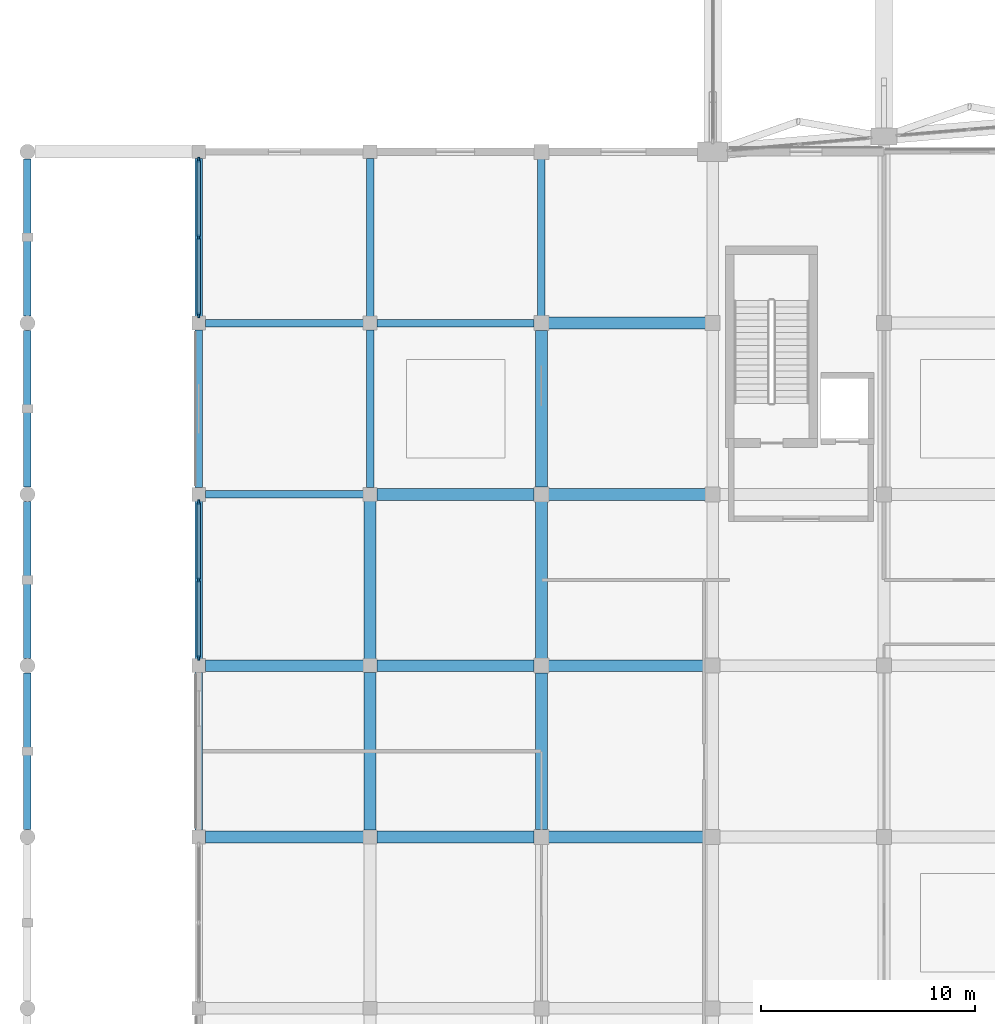
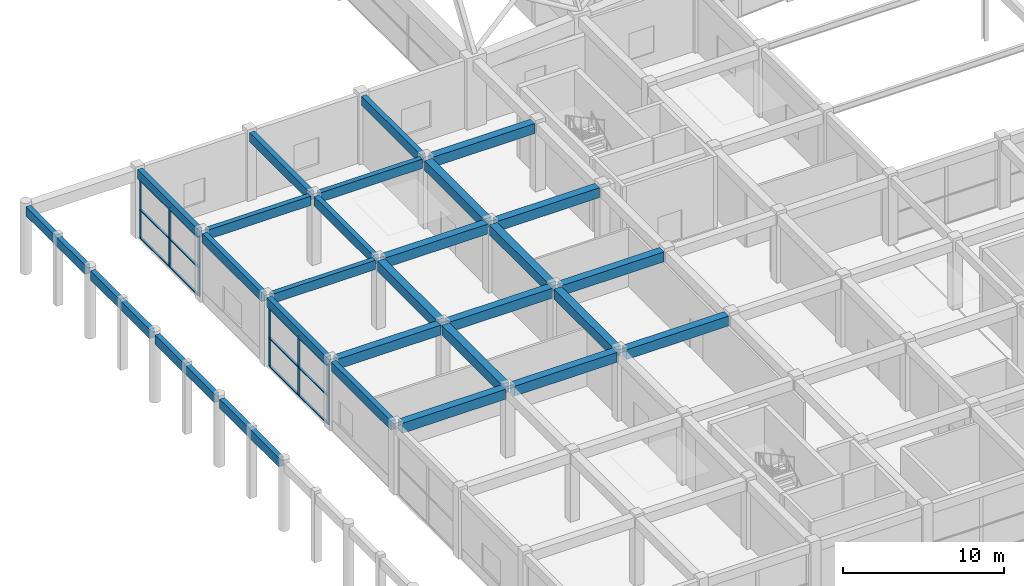
# One storey, part 11 of 69: 28 beams, 18 members, 2 elements without a shape of their own.
"""IFC4 building model written with IfcOpenShell, lengths in metres."""

import ifcopenshell
import ifcopenshell.guid

model = None  # the IFC model being written
_history = None  # IfcOwnerHistory: only IFC2X3 demands one
_inside = {}  # id of a spatial element -> (the spatial element, [elements in it])
_under = {}  # id of a project, library or spatial element -> (it, [spatial elements below it])
_declared = {}  # id of a project -> (the project, [libraries it declares])
_typed = {}  # id of a type object -> (the type object, [elements of that type])
_made_of = {}  # id of a material, layer set ... -> (it, [elements and type objects made of it])


def new_model(schema):
    """Start an empty IFC model of exactly this schema.

    Asked for "IFC4X3", IfcOpenShell would pick the latest addendum, in which some entities
    have other attributes; the version numbers below select the first issue.
    IFC2X3 requires an IfcOwnerHistory on every rooted entity: one is made here for all.
    """
    global model, _history
    if schema == "IFC4X3":
        model = ifcopenshell.file(schema_version=(4, 3, 0, 0))
    else:
        model = ifcopenshell.file(schema=schema)
    _inside.clear()
    _under.clear()
    _declared.clear()
    _typed.clear()
    _made_of.clear()
    _history = None
    if model.schema == "IFC2X3":
        org = make("IfcOrganization", Name="unknown")
        user = make(
            "IfcPersonAndOrganization",
            ThePerson=make("IfcPerson", FamilyName="unknown"),
            TheOrganization=org,
        )
        app = make(
            "IfcApplication",
            ApplicationDeveloper=org,
            Version="unknown",
            ApplicationFullName="unknown",
            ApplicationIdentifier="unknown",
        )
        _history = make(
            "IfcOwnerHistory",
            OwningUser=user,
            OwningApplication=app,
            ChangeAction="ADDED",
            CreationDate=0,
        )
    return model


def make(cls, **values):
    """One entity of the class cls with the attributes given. An attribute that is None is left unset."""
    return model.create_entity(
        cls, **{name: value for name, value in values.items() if value is not None}
    )


def rooted(cls, **values):
    """An entity with a GlobalId (a new one), such as an element, a storey or a relation."""
    return make(cls, GlobalId=ifcopenshell.guid.new(), OwnerHistory=_history, **values)


def si_unit(unit_type, name, prefix=None):
    """IfcSIUnit, for example si_unit("LENGTHUNIT", "METRE", prefix="MILLI")."""
    return make("IfcSIUnit", UnitType=unit_type, Prefix=prefix, Name=name)


def assignment(units):
    """IfcUnitAssignment: the units of a project."""
    return None if units is None else make("IfcUnitAssignment", Units=units)


def point(xyz):
    """IfcCartesianPoint."""
    return None if xyz is None else make("IfcCartesianPoint", Coordinates=xyz)


def direction(xyz):
    """IfcDirection."""
    return None if xyz is None else make("IfcDirection", DirectionRatios=xyz)


def frame(location, z_axis=None, x_axis=None):
    """IfcAxis2Placement3D, a coordinate frame: its origin and axes. An axis left out is left unset."""
    return make(
        "IfcAxis2Placement3D",
        Location=point(location),
        Axis=direction(z_axis),
        RefDirection=direction(x_axis),
    )


def frame_2d(location, x_axis=None):
    """IfcAxis2Placement2D, a coordinate frame in the plane: its origin and x axis."""
    return make(
        "IfcAxis2Placement2D", Location=point(location), RefDirection=direction(x_axis)
    )


def origin():
    """The frame at (0, 0, 0) with its axes left unset."""
    return frame((0.0, 0.0, 0.0))


def origin_2d():
    """The frame at (0, 0) in the plane with its x axis left unset."""
    return frame_2d((0.0, 0.0))


def place(relative_to, where):
    """IfcLocalPlacement: puts the frame where relative to a parent placement (None: the world)."""
    return make(
        "IfcLocalPlacement", PlacementRelTo=relative_to, RelativePlacement=where
    )


def context(
    kind, dimensions, precision=None, world=None, true_north=None, identifier=None
):
    """IfcGeometricRepresentationContext, for example the 3D "Model" context."""
    return make(
        "IfcGeometricRepresentationContext",
        ContextIdentifier=identifier,
        ContextType=kind,
        CoordinateSpaceDimension=dimensions,
        Precision=precision,
        WorldCoordinateSystem=world,
        TrueNorth=true_north,
    )


def subcontext(parent, identifier, kind, view, scale=None):
    """IfcGeometricRepresentationSubContext, for example "Body" below "Model"."""
    return make(
        "IfcGeometricRepresentationSubContext",
        ContextIdentifier=identifier,
        ContextType=kind,
        ParentContext=parent,
        TargetScale=scale,
        TargetView=view,
    )


def project(units=None, contexts=None):
    """IfcProject with its units and contexts."""
    return rooted(
        "IfcProject",
        Name="project",
        RepresentationContexts=contexts,
        UnitsInContext=assignment(units),
    )


def spatial(cls, under=None, at=None, **own):
    """A site, building, storey or space (cls), placed at a placement, below another one or the project."""
    s = rooted(cls, ObjectPlacement=at, **own)
    if under is not None:
        _under.setdefault(under.id(), (under, []))[1].append(s)
    return s


def profile(cls, at=None, kind="AREA", **sizes):
    """A parametric profile (cls). Its sizes go by their IFC names, for example OverallWidth=200.0."""
    return make(cls, ProfileType=kind, Position=at, **sizes)


def rectangle(**sizes):
    """IfcRectangleProfileDef."""
    return profile("IfcRectangleProfileDef", **sizes)


def extrude(swept, where, along, depth):
    """IfcExtrudedAreaSolid: the profile swept, set in the frame where, extruded along a direction by depth."""
    return make(
        "IfcExtrudedAreaSolid",
        SweptArea=swept,
        Position=where,
        ExtrudedDirection=direction(along),
        Depth=depth,
    )


def shape(context_of_items, identifier, shape_type, items):
    """IfcShapeRepresentation: the items that make up one representation, for example the "Body"."""
    return make(
        "IfcShapeRepresentation",
        ContextOfItems=context_of_items,
        RepresentationIdentifier=identifier,
        RepresentationType=shape_type,
        Items=items,
    )


def material(Name=None, Category=None):
    """IfcMaterial."""
    return make("IfcMaterial", Name=Name, Category=Category)


def material_profile(
    of_material, cross_section, Name=None, Category=None, Priority=None
):
    """IfcMaterialProfile: a cross section and its material."""
    return make(
        "IfcMaterialProfile",
        Name=Name,
        Material=of_material,
        Profile=cross_section,
        Priority=Priority,
        Category=Category,
    )


def profile_set(profiles, Name=None, composite=None):
    """IfcMaterialProfileSet."""
    return make(
        "IfcMaterialProfileSet",
        Name=Name,
        MaterialProfiles=profiles,
        CompositeProfile=composite,
    )


def made_of(thing, what):
    """Note that an element or type object is made of a material, layer set ...; save() writes the relation."""
    if what is not None:
        _made_of.setdefault(what.id(), (what, []))[1].append(thing)
    return thing


def type_object(cls, material=None, **own):
    """A type object (cls), such as IfcWallType, which elements share."""
    return made_of(rooted(cls, **own), material)


def element(
    cls,
    number,
    at=None,
    inside=None,
    cuts=None,
    type_object=None,
    material=None,
    context=None,
    identifier="Body",
    shape_type=None,
    held_by="IfcProductDefinitionShape",
    body=None,
    shapes=None,
    **own,
):
    """One element of the class cls, such as IfcWall. Its Tag is "e" and its number.

    at: its placement. inside: the storey or other place that contains it. cuts: it is an
    opening in that element (IfcRelVoidsElement). A single representation is given by context,
    identifier, shape_type and body (its items); several are given by shapes. held_by: the class
    of the entity that holds the representations. save() writes the other relations.
    """
    e = rooted(cls, Tag="e%d" % number, ObjectPlacement=at, **own)
    if body is not None:
        shapes = [shape(context, identifier, shape_type, body)]
    if shapes is not None:
        e.Representation = make(held_by, Representations=shapes)
    if inside is not None:
        _inside.setdefault(inside.id(), (inside, []))[1].append(e)
    if cuts is not None:
        rooted(
            "IfcRelVoidsElement", RelatingBuildingElement=cuts, RelatedOpeningElement=e
        )
    if type_object is not None:
        _typed.setdefault(type_object.id(), (type_object, []))[1].append(e)
    return made_of(e, material)


def aggregate(whole, parts):
    """IfcRelAggregates: a whole, such as a stair, and the parts it consists of."""
    return rooted("IfcRelAggregates", RelatingObject=whole, RelatedObjects=parts)


def save(model, path):
    """Write the relations noted so far, then the file.

    IfcRelAggregates (storeys below a building ...), IfcRelContainedInSpatialStructure (elements
    in a storey), IfcRelDefinesByType, IfcRelAssociatesMaterial and IfcRelDeclares: one each for
    every whole, place, type object, material and project.
    """
    for whole, parts in _under.values():
        aggregate(whole, parts)
    for where, things in _inside.values():
        rooted(
            "IfcRelContainedInSpatialStructure",
            RelatedElements=things,
            RelatingStructure=where,
        )
    for kind, things in _typed.values():
        rooted("IfcRelDefinesByType", RelatedObjects=things, RelatingType=kind)
    for what, things in _made_of.values():
        rooted("IfcRelAssociatesMaterial", RelatedObjects=things, RelatingMaterial=what)
    for by, libraries in _declared.values():
        rooted("IfcRelDeclares", RelatingContext=by, RelatedDefinitions=libraries)
    model.write(path)


model = new_model("IFC4")

# Units and contexts
model_context = context("Model", 3, precision=1e-05, world=origin(), true_north=direction((0.0, 1.0)))
body_context = subcontext(model_context, "Body", "Model", "MODEL_VIEW")
ifc_project = project(units=[si_unit("LENGTHUNIT", "METRE"), si_unit("AREAUNIT", "SQUARE_METRE"), si_unit("VOLUMEUNIT", "CUBIC_METRE"), si_unit("PLANEANGLEUNIT", "RADIAN"), si_unit("MASSUNIT", "GRAM", prefix="KILO")], contexts=[model_context])

# Site, building, storey
site_placement = place(None, origin())
site = spatial("IfcSite", under=ifc_project, at=site_placement, CompositionType="ELEMENT")
building_placement = place(site_placement, origin())
building = spatial("IfcBuilding", under=site, at=building_placement, Name="Kenh Van Central Station", CompositionType="ELEMENT")
storey_placement = place(building_placement, frame((0.0, 0.0, 5.39990234375)))
storey = spatial("IfcBuildingStorey", under=building, at=storey_placement, Name="L01", CompositionType="ELEMENT", Elevation=5.39990234375)

# Beams
ifc_material_1 = material(Name="Concrete C35/45", Category="concrete")
ifc_material_profile_1 = material_profile(ifc_material_1, rectangle(XDim=0.550048828125, YDim=0.75, at=origin_2d()), Name="RC 550x750")
ifc_profile_set_1 = profile_set([ifc_material_profile_1], Name="Concrete C35/45")
beam_type_1 = type_object("IfcBeamType", Name="BM-RC-550x750", PredefinedType="BEAM", material=ifc_profile_set_1)
beam_1_placement = place(storey_placement, frame((8.31494140625, 32.0, 4.81005859375), z_axis=(1.0, 0.0, 0.0), x_axis=(0.0, 1.0, 0.0)))
element("IfcBeam", 1, at=beam_1_placement, inside=storey, type_object=beam_type_1, Name="L01 beam 0671", PredefinedType="BEAM", context=body_context, shape_type="SweptSolid", body=[
    extrude(rectangle(XDim=0.550048828125, YDim=0.75, at=origin_2d()), origin(), (0.0, 0.0, 1.0), 7.3701171875),
])
beam_2_placement = place(storey_placement, frame((16.31494140625, 32.0, 4.81005859375), z_axis=(1.0, 0.0, 0.0), x_axis=(0.0, 1.0, 0.0)))
element("IfcBeam", 2, at=beam_2_placement, inside=storey, type_object=beam_type_1, Name="L01 beam 0672", PredefinedType="BEAM", context=body_context, shape_type="SweptSolid", body=[
    extrude(rectangle(XDim=0.550048828125, YDim=0.75, at=origin_2d()), origin(), (0.0, 0.0, 1.0), 7.344970703125),
])
beam_3_placement = place(storey_placement, frame((24.340087890625, 32.0, 4.76513671875), z_axis=(1.0, 0.0, 0.0), x_axis=(0.0, 1.0, 0.0)))
element("IfcBeam", 3, at=beam_3_placement, inside=storey, type_object=beam_type_1, Name="L01 beam 0673", PredefinedType="BEAM", context=body_context, shape_type="SweptSolid", body=[
    extrude(rectangle(XDim=0.550048828125, YDim=0.75, at=origin_2d()), origin(), (0.0, 0.0, 1.0), 7.31982421875),
])
beam_4_placement = place(storey_placement, frame((8.31494140625, 40.0, 4.81005859375), z_axis=(1.0, 0.0, 0.0), x_axis=(0.0, 1.0, 0.0)))
element("IfcBeam", 4, at=beam_4_placement, inside=storey, type_object=beam_type_1, Name="L01 beam 0687", PredefinedType="BEAM", context=body_context, shape_type="SweptSolid", body=[
    extrude(rectangle(XDim=0.550048828125, YDim=0.75, at=origin_2d()), origin(), (0.0, 0.0, 1.0), 7.3701171875),
])
beam_5_placement = place(storey_placement, frame((16.31494140625, 40.0, 4.81005859375), z_axis=(1.0, 0.0, 0.0), x_axis=(0.0, 1.0, 0.0)))
element("IfcBeam", 5, at=beam_5_placement, inside=storey, type_object=beam_type_1, Name="L01 beam 0688", PredefinedType="BEAM", context=body_context, shape_type="SweptSolid", body=[
    extrude(rectangle(XDim=0.550048828125, YDim=0.75, at=origin_2d()), origin(), (0.0, 0.0, 1.0), 7.344970703125),
])
beam_6_placement = place(storey_placement, frame((24.340087890625, 40.0, 4.76513671875), z_axis=(1.0, 0.0, 0.0), x_axis=(0.0, 1.0, 0.0)))
element("IfcBeam", 6, at=beam_6_placement, inside=storey, type_object=beam_type_1, Name="L01 beam 0689", PredefinedType="BEAM", context=body_context, shape_type="SweptSolid", body=[
    extrude(rectangle(XDim=0.550048828125, YDim=0.75, at=origin_2d()), origin(), (0.0, 0.0, 1.0), 7.31982421875),
])
beam_7_placement = place(storey_placement, frame((16.31494140625, 48.0, 4.81005859375), z_axis=(1.0, 0.0, 0.0), x_axis=(0.0, 1.0, 0.0)))
element("IfcBeam", 7, at=beam_7_placement, inside=storey, type_object=beam_type_1, Name="L01 beam 0708", PredefinedType="BEAM", context=body_context, shape_type="SweptSolid", body=[
    extrude(rectangle(XDim=0.550048828125, YDim=0.75, at=origin_2d()), origin(), (0.0, 0.0, 1.0), 7.344970703125),
])
for number, where, z_axis, x_axis, name in (
    (8, (24.340087890625, 48.0, 4.76513671875), (1.0, 0.0, 0.0), (0.0, 1.0, 0.0), "L01 beam 0709"),
    (9, (24.340087890625, 56.0, 4.76513671875), (1.0, 0.0, 0.0), (0.0, 1.0, 0.0), "L01 beam 0725"),
):
    element("IfcBeam", number, at=place(storey_placement, frame(where, z_axis=z_axis, x_axis=x_axis)), inside=storey, type_object=beam_type_1, Name=name, PredefinedType="BEAM", context=body_context, shape_type="SweptSolid", body=[
        extrude(rectangle(XDim=0.550048828125, YDim=0.75, at=origin_2d()), origin(), (0.0, 0.0, 1.0), 7.31982421875),
    ])
for number, where, z_axis, x_axis, name in (
    (10, (16.0, 32.31494140625, 4.81005859375), (0.0, 1.0, 0.0), (-1.0, 0.0, 0.0), "L01 beam 0774"),
    (11, (16.0, 40.31494140625, 4.81005859375), (0.0, 1.0, 0.0), (-1.0, 0.0, 0.0), "L01 beam 0775"),
):
    element("IfcBeam", number, at=place(storey_placement, frame(where, z_axis=z_axis, x_axis=x_axis)), inside=storey, type_object=beam_type_1, Name=name, PredefinedType="BEAM", context=body_context, shape_type="SweptSolid", body=[
        extrude(rectangle(XDim=0.550048828125, YDim=0.75, at=origin_2d()), origin(), (0.0, 0.0, 1.0), 7.3701171875),
    ])
for number, where, z_axis, x_axis, name in (
    (12, (24.0, 32.340087890625, 4.76513671875), (0.0, 1.0, 0.0), (-1.0, 0.0, 0.0), "L01 beam 0781"),
    (13, (24.0, 40.340087890625, 4.76513671875), (0.0, 1.0, 0.0), (-1.0, 0.0, 0.0), "L01 beam 0782"),
    (14, (24.0, 48.340087890625, 4.76513671875), (0.0, 1.0, 0.0), (-1.0, 0.0, 0.0), "L01 beam 0783"),
):
    element("IfcBeam", number, at=place(storey_placement, frame(where, z_axis=z_axis, x_axis=x_axis)), inside=storey, type_object=beam_type_1, Name=name, PredefinedType="BEAM", context=body_context, shape_type="SweptSolid", body=[
        extrude(rectangle(XDim=0.550048828125, YDim=0.75, at=origin_2d()), origin(), (0.0, 0.0, 1.0), 7.31982421875),
    ])

# Curtain wall, members
ifc_material_2 = material(Name="Champagne anodised aluminium", Category="aluminium")
curtain_wall_type = type_object("IfcCurtainWallType", Name="CW-RETL-A", PredefinedType="NOTDEFINED", material=ifc_material_2)
curtain_wall_1_placement = place(storey_placement, origin())
curtain_wall_1 = element("IfcCurtainWall", 15, at=curtain_wall_1_placement, inside=storey, type_object=curtain_wall_type, Name="L01 curtain wall 126", PredefinedType="NOTDEFINED")
ifc_material_profile_2 = material_profile(ifc_material_2, rectangle(XDim=0.0849609375, YDim=0.23193359375, at=origin_2d()), Name="AL 85x232")
ifc_profile_set_2 = profile_set([ifc_material_profile_2], Name="Champagne anodised aluminium")
member_type_1 = type_object("IfcMemberType", Name="CWM-65x160", PredefinedType="MULLION", material=ifc_profile_set_2)
member_1_placement = place(storey_placement, frame((8.0, 63.632568359375, 0.0), z_axis=(0.0, 0.0, 1.0), x_axis=(1.0, 0.0, 0.0)))
member_1 = element("IfcMember", 16, at=member_1_placement, type_object=member_type_1, Name="CW-05 mullion 1", PredefinedType="MULLION", context=body_context, shape_type="SweptSolid", body=[
    extrude(rectangle(XDim=0.0849609375, YDim=0.23193359375, at=origin_2d()), origin(), (0.0, 0.0, 1.0), 4.47998046875),
])
member_2_placement = place(storey_placement, frame((8.0, 60.0, 0.0), z_axis=(0.0, 0.0, 1.0), x_axis=(1.0, 0.0, 0.0)))
member_2 = element("IfcMember", 17, at=member_2_placement, type_object=member_type_1, Name="CW-05 mullion 2", PredefinedType="MULLION", context=body_context, shape_type="SweptSolid", body=[
    extrude(rectangle(XDim=0.0849609375, YDim=0.23193359375, at=origin_2d()), origin(), (0.0, 0.0, 1.0), 4.47998046875),
])
member_3_placement = place(storey_placement, frame((8.0, 56.367431640625, 0.0), z_axis=(0.0, 0.0, 1.0), x_axis=(1.0, 0.0, 0.0)))
member_3 = element("IfcMember", 18, at=member_3_placement, type_object=member_type_1, Name="CW-05 mullion 3", PredefinedType="MULLION", context=body_context, shape_type="SweptSolid", body=[
    extrude(rectangle(XDim=0.0849609375, YDim=0.23193359375, at=origin_2d()), origin(), (0.0, 0.0, 1.0), 4.47998046875),
])

curtain_wall_2_placement = place(storey_placement, origin())
curtain_wall_2 = element("IfcCurtainWall", 19, at=curtain_wall_2_placement, inside=storey, type_object=curtain_wall_type, Name="L01 curtain wall 127", PredefinedType="NOTDEFINED")
member_4_placement = place(storey_placement, frame((8.0, 47.632568359375, 0.0), z_axis=(0.0, 0.0, 1.0), x_axis=(1.0, 0.0, 0.0)))
member_4 = element("IfcMember", 20, at=member_4_placement, type_object=member_type_1, Name="CW-05 mullion 1", PredefinedType="MULLION", context=body_context, shape_type="SweptSolid", body=[
    extrude(rectangle(XDim=0.0849609375, YDim=0.23193359375, at=origin_2d()), origin(), (0.0, 0.0, 1.0), 4.485107421875),
])
member_5_placement = place(storey_placement, frame((8.0, 44.0, 0.0), z_axis=(0.0, 0.0, 1.0), x_axis=(1.0, 0.0, 0.0)))
member_5 = element("IfcMember", 21, at=member_5_placement, type_object=member_type_1, Name="CW-05 mullion 2", PredefinedType="MULLION", context=body_context, shape_type="SweptSolid", body=[
    extrude(rectangle(XDim=0.0849609375, YDim=0.23193359375, at=origin_2d()), origin(), (0.0, 0.0, 1.0), 4.485107421875),
])
member_6_placement = place(storey_placement, frame((8.0, 40.367431640625, 0.0), z_axis=(0.0, 0.0, 1.0), x_axis=(1.0, 0.0, 0.0)))
member_6 = element("IfcMember", 22, at=member_6_placement, type_object=member_type_1, Name="CW-05 mullion 3", PredefinedType="MULLION", context=body_context, shape_type="SweptSolid", body=[
    extrude(rectangle(XDim=0.0849609375, YDim=0.23193359375, at=origin_2d()), origin(), (0.0, 0.0, 1.0), 4.485107421875),
])

# Member
ifc_material_profile_3 = material_profile(ifc_material_2, rectangle(XDim=0.155029296875, YDim=0.072021484375, at=origin_2d()), Name="AL 155x72")
ifc_profile_set_3 = profile_set([ifc_material_profile_3], Name="Champagne anodised aluminium")
member_type_2 = type_object("IfcMemberType", Name="CWT-120x60", PredefinedType="USERDEFINED", material=ifc_profile_set_3)
member_7_placement = place(storey_placement, frame((8.0, 63.590087890625, 0.0361328125), z_axis=(0.0, -1.0, 0.0), x_axis=(1.0, 0.0, 0.0)))
member_7 = element("IfcMember", 23, at=member_7_placement, type_object=member_type_2, Name="CW-05 transom 1.1", ObjectType="TRANSOM", PredefinedType="USERDEFINED", context=body_context, shape_type="SweptSolid", body=[
    extrude(rectangle(XDim=0.155029296875, YDim=0.072021484375, at=origin_2d()), origin(), (0.0, 0.0, 1.0), 3.547607421875),
])

member_8_placement = place(storey_placement, frame((8.0, 63.590087890625, 2.150390625), z_axis=(0.0, -1.0, 0.0), x_axis=(1.0, 0.0, 0.0)))
member_8 = element("IfcMember", 24, at=member_8_placement, type_object=member_type_2, Name="CW-05 transom 1.2", ObjectType="TRANSOM", PredefinedType="USERDEFINED", context=body_context, shape_type="SweptSolid", body=[
    extrude(rectangle(XDim=0.155029296875, YDim=0.072021484375, at=origin_2d()), origin(), (0.0, 0.0, 1.0), 3.547607421875),
])

member_9_placement = place(storey_placement, frame((8.0, 63.590087890625, 4.444091796875), z_axis=(0.0, -1.0, 0.0), x_axis=(1.0, 0.0, 0.0)))
member_9 = element("IfcMember", 25, at=member_9_placement, type_object=member_type_2, Name="CW-05 transom 1.3", ObjectType="TRANSOM", PredefinedType="USERDEFINED", context=body_context, shape_type="SweptSolid", body=[
    extrude(rectangle(XDim=0.155029296875, YDim=0.072021484375, at=origin_2d()), origin(), (0.0, 0.0, 1.0), 3.547607421875),
])

member_10_placement = place(storey_placement, frame((8.0, 59.95751953125, 0.0361328125), z_axis=(0.0, -1.0, 0.0), x_axis=(1.0, 0.0, 0.0)))
member_10 = element("IfcMember", 26, at=member_10_placement, type_object=member_type_2, Name="CW-05 transom 2.1", ObjectType="TRANSOM", PredefinedType="USERDEFINED", context=body_context, shape_type="SweptSolid", body=[
    extrude(rectangle(XDim=0.155029296875, YDim=0.072021484375, at=origin_2d()), origin(), (0.0, 0.0, 1.0), 3.547607421875),
])

member_11_placement = place(storey_placement, frame((8.0, 59.95751953125, 2.150390625), z_axis=(0.0, -1.0, 0.0), x_axis=(1.0, 0.0, 0.0)))
member_11 = element("IfcMember", 27, at=member_11_placement, type_object=member_type_2, Name="CW-05 transom 2.2", ObjectType="TRANSOM", PredefinedType="USERDEFINED", context=body_context, shape_type="SweptSolid", body=[
    extrude(rectangle(XDim=0.155029296875, YDim=0.072021484375, at=origin_2d()), origin(), (0.0, 0.0, 1.0), 3.547607421875),
])

member_12_placement = place(storey_placement, frame((8.0, 59.95751953125, 4.444091796875), z_axis=(0.0, -1.0, 0.0), x_axis=(1.0, 0.0, 0.0)))
member_12 = element("IfcMember", 28, at=member_12_placement, type_object=member_type_2, Name="CW-05 transom 2.3", ObjectType="TRANSOM", PredefinedType="USERDEFINED", context=body_context, shape_type="SweptSolid", body=[
    extrude(rectangle(XDim=0.155029296875, YDim=0.072021484375, at=origin_2d()), origin(), (0.0, 0.0, 1.0), 3.547607421875),
])

aggregate(curtain_wall_1, [member_1, member_2, member_3, member_7, member_8, member_9, member_10, member_11, member_12])

member_13_placement = place(storey_placement, frame((8.0, 47.590087890625, 0.0361328125), z_axis=(0.0, -1.0, 0.0), x_axis=(1.0, 0.0, 0.0)))
member_13 = element("IfcMember", 29, at=member_13_placement, type_object=member_type_2, Name="CW-05 transom 1.1", ObjectType="TRANSOM", PredefinedType="USERDEFINED", context=body_context, shape_type="SweptSolid", body=[
    extrude(rectangle(XDim=0.155029296875, YDim=0.072021484375, at=origin_2d()), origin(), (0.0, 0.0, 1.0), 3.547607421875),
])

member_14_placement = place(storey_placement, frame((8.0, 47.590087890625, 2.15283203125), z_axis=(0.0, -1.0, 0.0), x_axis=(1.0, 0.0, 0.0)))
member_14 = element("IfcMember", 30, at=member_14_placement, type_object=member_type_2, Name="CW-05 transom 1.2", ObjectType="TRANSOM", PredefinedType="USERDEFINED", context=body_context, shape_type="SweptSolid", body=[
    extrude(rectangle(XDim=0.155029296875, YDim=0.072021484375, at=origin_2d()), origin(), (0.0, 0.0, 1.0), 3.547607421875),
])

member_15_placement = place(storey_placement, frame((8.0, 47.590087890625, 4.44921875), z_axis=(0.0, -1.0, 0.0), x_axis=(1.0, 0.0, 0.0)))
member_15 = element("IfcMember", 31, at=member_15_placement, type_object=member_type_2, Name="CW-05 transom 1.3", ObjectType="TRANSOM", PredefinedType="USERDEFINED", context=body_context, shape_type="SweptSolid", body=[
    extrude(rectangle(XDim=0.155029296875, YDim=0.072021484375, at=origin_2d()), origin(), (0.0, 0.0, 1.0), 3.547607421875),
])

member_16_placement = place(storey_placement, frame((8.0, 43.95751953125, 0.0361328125), z_axis=(0.0, -1.0, 0.0), x_axis=(1.0, 0.0, 0.0)))
member_16 = element("IfcMember", 32, at=member_16_placement, type_object=member_type_2, Name="CW-05 transom 2.1", ObjectType="TRANSOM", PredefinedType="USERDEFINED", context=body_context, shape_type="SweptSolid", body=[
    extrude(rectangle(XDim=0.155029296875, YDim=0.072021484375, at=origin_2d()), origin(), (0.0, 0.0, 1.0), 3.547607421875),
])

member_17_placement = place(storey_placement, frame((8.0, 43.95751953125, 2.15283203125), z_axis=(0.0, -1.0, 0.0), x_axis=(1.0, 0.0, 0.0)))
member_17 = element("IfcMember", 33, at=member_17_placement, type_object=member_type_2, Name="CW-05 transom 2.2", ObjectType="TRANSOM", PredefinedType="USERDEFINED", context=body_context, shape_type="SweptSolid", body=[
    extrude(rectangle(XDim=0.155029296875, YDim=0.072021484375, at=origin_2d()), origin(), (0.0, 0.0, 1.0), 3.547607421875),
])

member_18_placement = place(storey_placement, frame((8.0, 43.95751953125, 4.44921875), z_axis=(0.0, -1.0, 0.0), x_axis=(1.0, 0.0, 0.0)))
member_18 = element("IfcMember", 34, at=member_18_placement, type_object=member_type_2, Name="CW-05 transom 2.3", ObjectType="TRANSOM", PredefinedType="USERDEFINED", context=body_context, shape_type="SweptSolid", body=[
    extrude(rectangle(XDim=0.155029296875, YDim=0.072021484375, at=origin_2d()), origin(), (0.0, 0.0, 1.0), 3.547607421875),
])

aggregate(curtain_wall_2, [member_4, member_5, member_6, member_13, member_14, member_15, member_16, member_17, member_18])

# Beams
ifc_material_profile_4 = material_profile(ifc_material_1, rectangle(XDim=0.35009765625, YDim=0.699951171875, at=origin_2d()), Name="RC 350x700")
ifc_profile_set_4 = profile_set([ifc_material_profile_4], Name="Concrete C35/45")
beam_type_2 = type_object("IfcBeamType", Name="SPD-RC-350x700", PredefinedType="SPANDREL", material=ifc_profile_set_4)
for number, where, z_axis, x_axis, name in (
    (35, (8.31494140625, 48.0, 4.835205078125), (1.0, 0.0, 0.0), (0.0, 1.0, 0.0), "L01 beam 0707"),
    (36, (8.31494140625, 56.0, 4.830078125), (1.0, 0.0, 0.0), (0.0, 1.0, 0.0), "L01 beam 0723"),
):
    element("IfcBeam", number, at=place(storey_placement, frame(where, z_axis=z_axis, x_axis=x_axis)), inside=storey, type_object=beam_type_2, Name=name, PredefinedType="SPANDREL", context=body_context, shape_type="SweptSolid", body=[
        extrude(rectangle(XDim=0.35009765625, YDim=0.699951171875, at=origin_2d()), origin(), (0.0, 0.0, 1.0), 7.3701171875),
    ])
beam_8_placement = place(storey_placement, frame((16.31494140625, 56.0, 4.835205078125), z_axis=(1.0, 0.0, 0.0), x_axis=(0.0, 1.0, 0.0)))
element("IfcBeam", 37, at=beam_8_placement, inside=storey, type_object=beam_type_2, Name="L01 beam 0724", PredefinedType="SPANDREL", context=body_context, shape_type="SweptSolid", body=[
    extrude(rectangle(XDim=0.35009765625, YDim=0.699951171875, at=origin_2d()), origin(), (0.0, 0.0, 1.0), 7.344970703125),
])
for number, where, z_axis, x_axis, name in (
    (38, (0.0, 32.340087890625, 4.830078125), (0.0, 1.0, 0.0), (-1.0, 0.0, 0.0), "L01 beam 0760"),
    (39, (0.0, 40.340087890625, 4.830078125), (0.0, 1.0, 0.0), (-1.0, 0.0, 0.0), "L01 beam 0761"),
    (40, (0.0, 48.340087890625, 4.830078125), (0.0, 1.0, 0.0), (-1.0, 0.0, 0.0), "L01 beam 0762"),
    (41, (0.0, 56.340087890625, 4.830078125), (0.0, 1.0, 0.0), (-1.0, 0.0, 0.0), "L01 beam 0763"),
):
    element("IfcBeam", number, at=place(storey_placement, frame(where, z_axis=z_axis, x_axis=x_axis)), inside=storey, type_object=beam_type_2, Name=name, PredefinedType="SPANDREL", context=body_context, shape_type="SweptSolid", body=[
        extrude(rectangle(XDim=0.35009765625, YDim=0.699951171875, at=origin_2d()), origin(), (0.0, 0.0, 1.0), 7.31982421875),
    ])
for number, where, z_axis, x_axis, name in (
    (42, (8.0, 32.31494140625, 4.835205078125), (0.0, 1.0, 0.0), (-1.0, 0.0, 0.0), "L01 beam 0767"),
    (43, (8.0, 40.31494140625, 4.835205078125), (0.0, 1.0, 0.0), (-1.0, 0.0, 0.0), "L01 beam 0768"),
    (44, (8.0, 48.31494140625, 4.830078125), (0.0, 1.0, 0.0), (-1.0, 0.0, 0.0), "L01 beam 0769"),
    (45, (8.0, 56.31494140625, 4.830078125), (0.0, 1.0, 0.0), (-1.0, 0.0, 0.0), "L01 beam 0770"),
    (46, (16.0, 48.31494140625, 4.835205078125), (0.0, 1.0, 0.0), (-1.0, 0.0, 0.0), "L01 beam 0776"),
    (47, (16.0, 56.31494140625, 4.830078125), (0.0, 1.0, 0.0), (-1.0, 0.0, 0.0), "L01 beam 0777"),
):
    element("IfcBeam", number, at=place(storey_placement, frame(where, z_axis=z_axis, x_axis=x_axis)), inside=storey, type_object=beam_type_2, Name=name, PredefinedType="SPANDREL", context=body_context, shape_type="SweptSolid", body=[
        extrude(rectangle(XDim=0.35009765625, YDim=0.699951171875, at=origin_2d()), origin(), (0.0, 0.0, 1.0), 7.3701171875),
    ])
beam_9_placement = place(storey_placement, frame((24.0, 56.340087890625, 4.7900390625), z_axis=(0.0, 1.0, 0.0), x_axis=(-1.0, 0.0, 0.0)))
element("IfcBeam", 48, at=beam_9_placement, inside=storey, type_object=beam_type_2, Name="L01 beam 0784", PredefinedType="SPANDREL", context=body_context, shape_type="SweptSolid", body=[
    extrude(rectangle(XDim=0.35009765625, YDim=0.699951171875, at=origin_2d()), origin(), (0.0, 0.0, 1.0), 7.31982421875),
])

save(model, "model.ifc")
